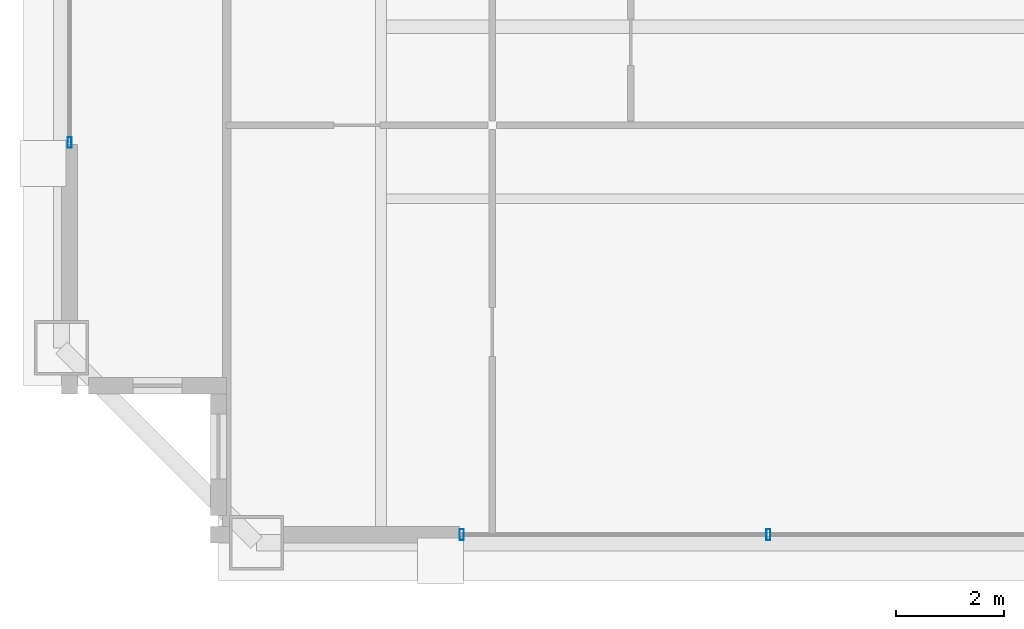
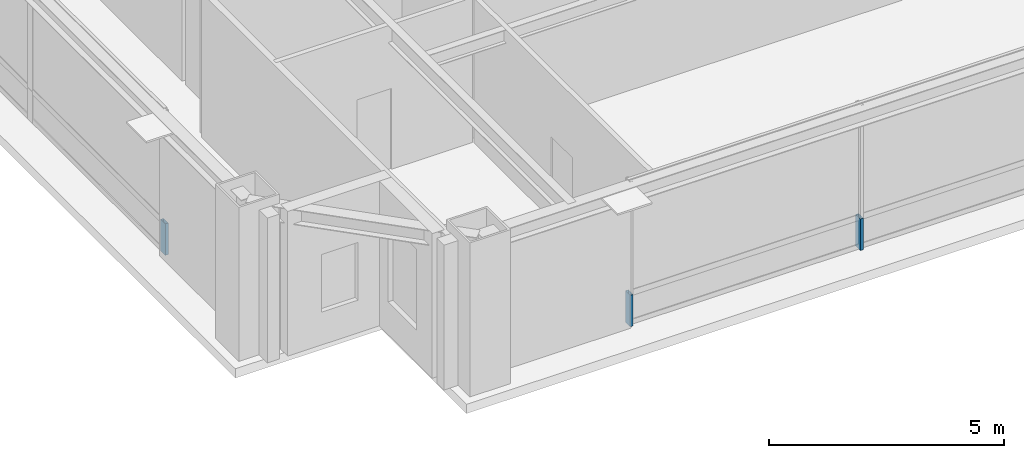
# One storey, part 21 of 34: 3 members, 2 elements without a shape of their own.
"""IFC4 building model written with IfcOpenShell, lengths in metres."""

from ifc_helpers import new_model, si_unit, direction, frame, origin, origin_2d, place, context, subcontext, project, spatial, hollow_rectangle, extrude, source, transform, mapped, material, layer, layer_set, material_profile, profile_set, type_object, element, aggregate, save


model = new_model("IFC4")

# Units and contexts
model_context = context("Model", 3, precision=1e-05, world=origin(), true_north=direction((0.0, 1.0)))
body_context = subcontext(model_context, "Body", "Model", "MODEL_VIEW")
ifc_project = project(units=[si_unit("LENGTHUNIT", "METRE"), si_unit("AREAUNIT", "SQUARE_METRE"), si_unit("VOLUMEUNIT", "CUBIC_METRE"), si_unit("PLANEANGLEUNIT", "RADIAN"), si_unit("MASSUNIT", "GRAM", prefix="KILO"), si_unit("THERMODYNAMICTEMPERATUREUNIT", "KELVIN"), si_unit("POWERUNIT", "WATT")], contexts=[model_context])

# Site, building, storey
site_placement = place(None, origin())
site = spatial("IfcSite", under=ifc_project, at=site_placement, CompositionType="ELEMENT")
building_placement = place(site_placement, origin())
building = spatial("IfcBuilding", under=site, at=building_placement, Name="Yuzanri Waterfront Tower", CompositionType="ELEMENT")
storey_placement = place(building_placement, frame((0.0, 0.0, 339.199951171875)))
storey = spatial("IfcBuildingStorey", under=building, at=storey_placement, Name="L91", CompositionType="ELEMENT", Elevation=339.199951171875)

# Curtain wall, members
ifc_material_1 = material(Name="Anodized Architectural Bronze", Category="metal")
ifc_layer = layer(ifc_material_1, 0.159912109375)
ifc_layer_set = layer_set([ifc_layer], Name="Anodized Architectural Bronze")
curtain_wall_type = type_object("IfcCurtainWallType", Name="Anodized Bronze High-Rise Penthouse High-Wind Unitized Curtain Wall 6900", PredefinedType="NOTDEFINED", material=ifc_layer_set)
curtain_wall_1_placement = place(storey_placement, origin())
curtain_wall_1 = element("IfcCurtainWall", 1, at=curtain_wall_1_placement, inside=storey, type_object=curtain_wall_type, Name="L91 Curtain Wall CW-L91-SL", PredefinedType="NOTDEFINED")
ifc_material_2 = material(Name="Anodized Architectural Bronze", Category="metal")
ifc_material_profile = material_profile(ifc_material_2, hollow_rectangle(XDim=0.074951171875, YDim=0.199951171875, WallThickness=0.00390625, at=origin_2d()), Name="CWM 75x200")
ifc_profile_set = profile_set([ifc_material_profile], Name="Anodized Architectural Bronze")
member_type = type_object("IfcMemberType", Name="Anodized Bronze Primary Curtain-Wall Mullion 75x200", PredefinedType="MULLION", material=ifc_profile_set)
shared_shape = source(origin(), body_context, "Body", "SweptSolid", [
    extrude(hollow_rectangle(XDim=0.074951171875, YDim=0.199951171875, WallThickness=0.00390625, at=origin_2d()), origin(), (0.0, 0.0, 1.0), 0.818115234375),
])
member_1_placement = place(storey_placement, frame((25.2900390625, 6.85009765625, 0.0), z_axis=(0.0, 0.0, 1.0), x_axis=(1.0, 0.0, 0.0)))
member_1 = element("IfcMember", 2, at=member_1_placement, type_object=member_type, Name="CW-L91-SL Lower Mullion 00", PredefinedType="MULLION", context=body_context, shape_type="MappedRepresentation", body=[
    mapped(shared_shape, transform((0.0, 0.0, 0.0), scale=1.0)),
])
member_2_placement = place(storey_placement, frame((30.949951171875, 6.85009765625, 0.0), z_axis=(0.0, 0.0, 1.0), x_axis=(1.0, 0.0, 0.0)))
member_2 = element("IfcMember", 3, at=member_2_placement, type_object=member_type, Name="CW-L91-SL Lower Mullion 01", PredefinedType="MULLION", context=body_context, shape_type="MappedRepresentation", body=[
    mapped(shared_shape, transform((0.0, 0.0, 0.0), scale=1.0)),
])
aggregate(curtain_wall_1, [member_1, member_2])

# Curtain wall, member
curtain_wall_2_placement = place(storey_placement, origin())
curtain_wall_2 = element("IfcCurtainWall", 4, at=curtain_wall_2_placement, inside=storey, type_object=curtain_wall_type, Name="L91 Curtain Wall CW-L91-WL", PredefinedType="NOTDEFINED")
member_3_placement = place(storey_placement, frame((18.050048828125, 14.090087890625, 0.0), z_axis=(0.0, 0.0, 1.0), x_axis=(1.0, 0.0, 0.0)))
member_3 = element("IfcMember", 5, at=member_3_placement, type_object=member_type, Name="CW-L91-WL Lower Mullion 00", PredefinedType="MULLION", context=body_context, shape_type="MappedRepresentation", body=[
    mapped(shared_shape, transform((0.0, 0.0, 0.0), scale=1.0)),
])
aggregate(curtain_wall_2, [member_3])

save(model, "model.ifc")
